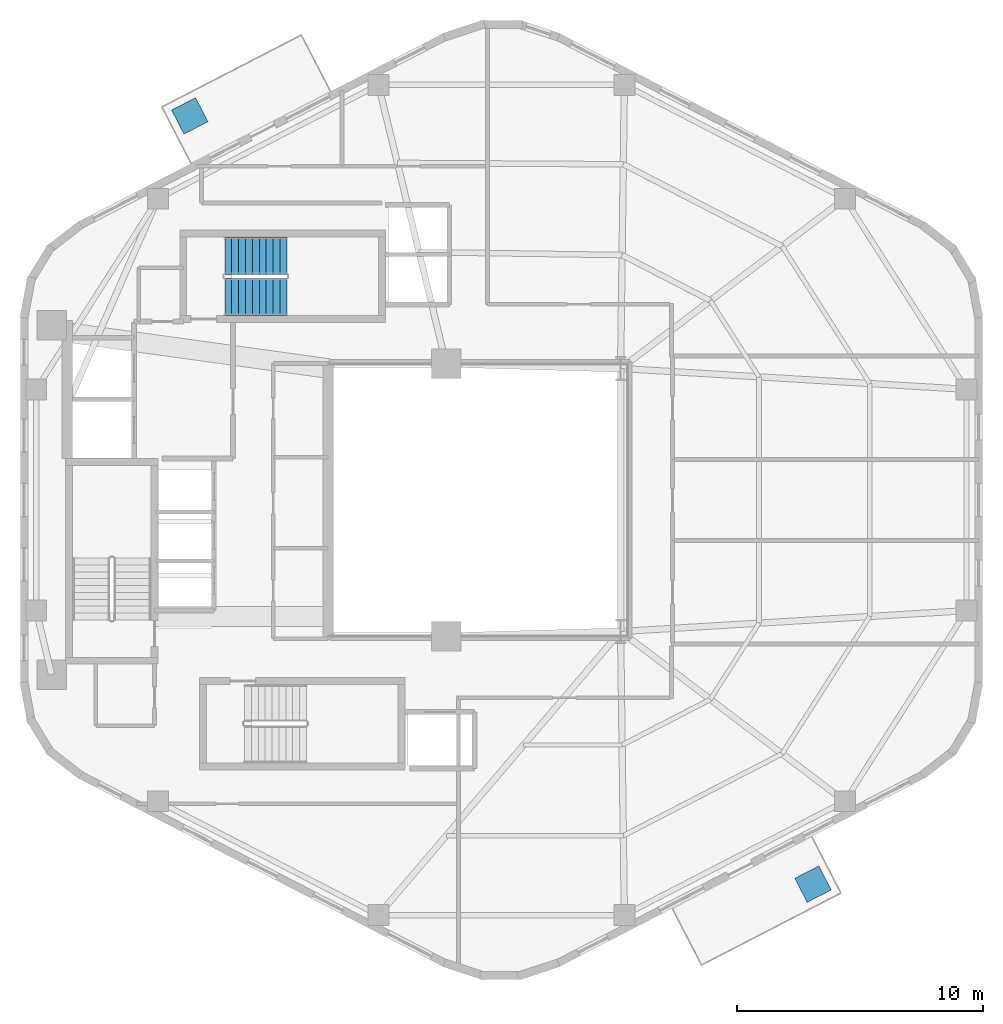
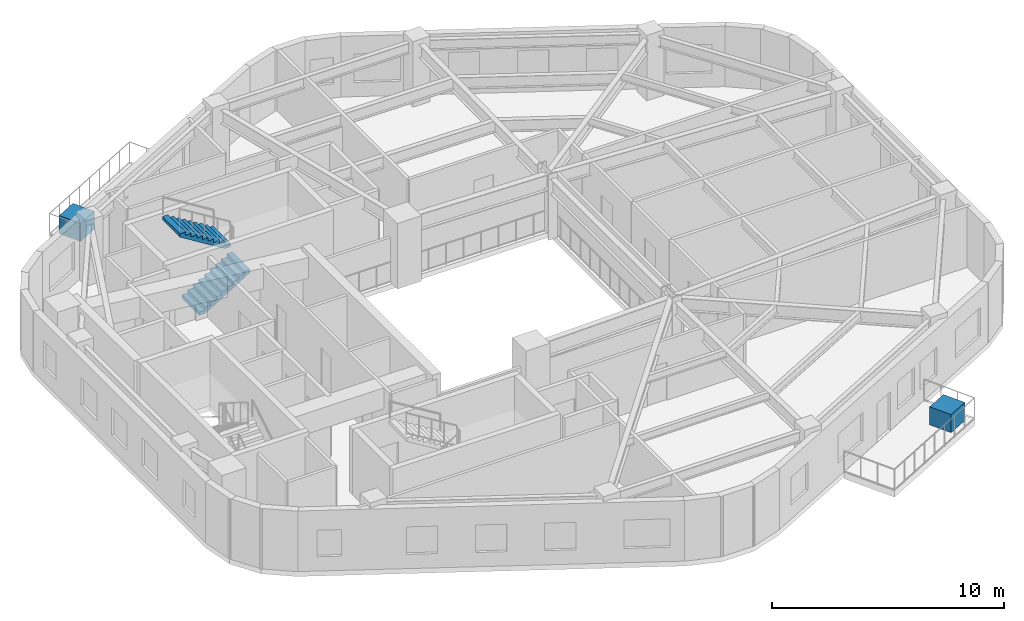
# One storey, part 6 of 8: 2 discrete accessories, 2 stair flights, 1 element without a shape of its own.
"""IFC4 building model written with IfcOpenShell, lengths in metres."""

from ifc_helpers import new_model, si_unit, direction, frame, origin, origin_2d, place, context, subcontext, project, spatial, polyline, rectangle, outline, extrude, material, type_object, element, aggregate, save


model = new_model("IFC4")

# Units and contexts
model_context = context("Model", 3, precision=1e-05, world=origin(), true_north=direction((0.0, 1.0)))
body_context = subcontext(model_context, "Body", "Model", "MODEL_VIEW")
ifc_project = project(units=[si_unit("LENGTHUNIT", "METRE"), si_unit("AREAUNIT", "SQUARE_METRE"), si_unit("VOLUMEUNIT", "CUBIC_METRE"), si_unit("PLANEANGLEUNIT", "RADIAN"), si_unit("MASSUNIT", "GRAM", prefix="KILO"), si_unit("THERMODYNAMICTEMPERATUREUNIT", "KELVIN"), si_unit("POWERUNIT", "WATT")], contexts=[model_context])

# Site, building, storey
site_placement = place(None, origin())
site = spatial("IfcSite", under=ifc_project, at=site_placement, CompositionType="ELEMENT")
building_placement = place(site_placement, origin())
building = spatial("IfcBuilding", under=site, at=building_placement, Name="Skarre Station Tower", CompositionType="ELEMENT")
storey_placement = place(building_placement, frame((0.0, 0.0, 203.35009765625)))
storey = spatial("IfcBuildingStorey", under=building, at=storey_placement, Name="L55", CompositionType="ELEMENT", Elevation=203.35009765625)

# Stair, stair flights
ifc_material_1 = material(Name="Concrete C40/50", Category="concrete")
stair_type = type_object("IfcStairType", Name="Reinforced Concrete Exit Stair ST-3", PredefinedType="HALF_TURN_STAIR", material=ifc_material_1)
stair_placement = place(storey_placement, origin())
stair = element("IfcStair", 1, at=stair_placement, inside=storey, type_object=stair_type, Name="L55 Core Exit Stair ST-3", PredefinedType="HALF_TURN_STAIR")
stair_flight_type = type_object("IfcStairFlightType", Name="Reinforced Concrete Stair Flight ST-3", PredefinedType="STRAIGHT", material=ifc_material_1)
stair_flight_1_placement = place(storey_placement, frame((23.35009765625, 32.260009765625, 0.0), z_axis=(0.0, 0.0, 1.0), x_axis=(1.0, 0.0, 0.0)))
stair_flight_1 = element("IfcStairFlight", 2, at=stair_flight_1_placement, type_object=stair_flight_type, Name="ST-3 flight 1", NumberOfRisers=10, NumberOfTreads=9, PredefinedType="STRAIGHT", RiserHeight=0.1725, TreadLength=0.28, context=body_context, shape_type="SweptSolid", body=[
    extrude(outline(polyline([(0.0, 0.0), (0.0, 0.172607421875), (0.280029296875, 0.172607421875), (0.280029296875, 0.344970703125), (0.56005859375, 0.344970703125), (0.56005859375, 0.517578125), (0.840087890625, 0.517578125), (0.840087890625, 0.68994140625), (1.1201171875, 0.68994140625), (1.1201171875, 0.862548828125), (1.39990234375, 0.862548828125), (1.39990234375, 1.034912109375), (1.679931640625, 1.034912109375), (1.679931640625, 1.20751953125), (1.9599609375, 1.20751953125), (1.9599609375, 1.3798828125), (2.239990234375, 1.3798828125), (2.239990234375, 1.552490234375), (2.52001953125, 1.552490234375), (2.52001953125, 1.72509765625), (2.52001953125, 1.37646484375), (0.285888671875, 0.0), (0.0, 0.0)])), frame((0.0, 0.760009765625, 0.0), z_axis=(0.0, -1.0, 0.0), x_axis=(1.0, 0.0, 0.0)), (0.0, 0.0, 1.0), 1.52001953125),
])
stair_flight_2_placement = place(storey_placement, frame((25.8701171875, 33.93994140625, 1.724853515625), z_axis=(0.0, 0.0, 1.0), x_axis=(-1.0, 0.0, 0.0)))
stair_flight_2 = element("IfcStairFlight", 3, at=stair_flight_2_placement, type_object=stair_flight_type, Name="ST-3 flight 2", NumberOfRisers=10, NumberOfTreads=9, PredefinedType="STRAIGHT", RiserHeight=0.1725, TreadLength=0.28, context=body_context, shape_type="SweptSolid", body=[
    extrude(outline(polyline([(0.0, 0.0), (0.0, 0.172607421875), (0.280029296875, 0.172607421875), (0.280029296875, 0.344970703125), (0.56005859375, 0.344970703125), (0.56005859375, 0.517578125), (0.840087890625, 0.517578125), (0.840087890625, 0.68994140625), (1.1201171875, 0.68994140625), (1.1201171875, 0.862548828125), (1.39990234375, 0.862548828125), (1.39990234375, 1.034912109375), (1.679931640625, 1.034912109375), (1.679931640625, 1.20751953125), (1.9599609375, 1.20751953125), (1.9599609375, 1.3798828125), (2.239990234375, 1.3798828125), (2.239990234375, 1.552490234375), (2.52001953125, 1.552490234375), (2.52001953125, 1.72509765625), (2.52001953125, 1.37646484375), (0.285888671875, 0.0), (0.0, 0.0)])), frame((0.0, 0.760009765625, 0.0), z_axis=(0.0, -1.0, 0.0), x_axis=(1.0, 0.0, 0.0)), (0.0, 0.0, 1.0), 1.52001953125),
])
aggregate(stair, [stair_flight_1, stair_flight_2])

# Discrete accessories
ifc_material_2 = material(Name="Precast concrete C45/55", Category="concrete")
discrete_accessory_type = type_object("IfcDiscreteAccessoryType", Name="Insulated Precast Tree Planter Trough 1100x1100x950", PredefinedType="USERDEFINED", material=ifc_material_2)
for number, where, z_axis, x_axis, name in (
    (4, (47.277099609375, 8.373046875, 0.0), (0.0, 0.0, 1.0), (0.458634045118, -0.888625237464, 0.0), "L55 TB-L55-F4 Insulated Precast Tree Planter Trough"),
    (5, (21.923095703125, 39.626953125, 0.0), (0.0, 0.0, 1.0), (-0.458634045118, 0.888625237464, 0.0), "L55 TB-L55-F1 Insulated Precast Tree Planter Trough"),
):
    element("IfcDiscreteAccessory", number, at=place(storey_placement, frame(where, z_axis=z_axis, x_axis=x_axis)), inside=storey, type_object=discrete_accessory_type, Name=name, ObjectType="PLANTER", PredefinedType="USERDEFINED", context=body_context, shape_type="SweptSolid", body=[
        extrude(rectangle(XDim=1.10009765625, YDim=1.10009765625, at=origin_2d()), origin(), (0.0, 0.0, 1.0), 0.949951171875),
    ])

save(model, "model.ifc")
